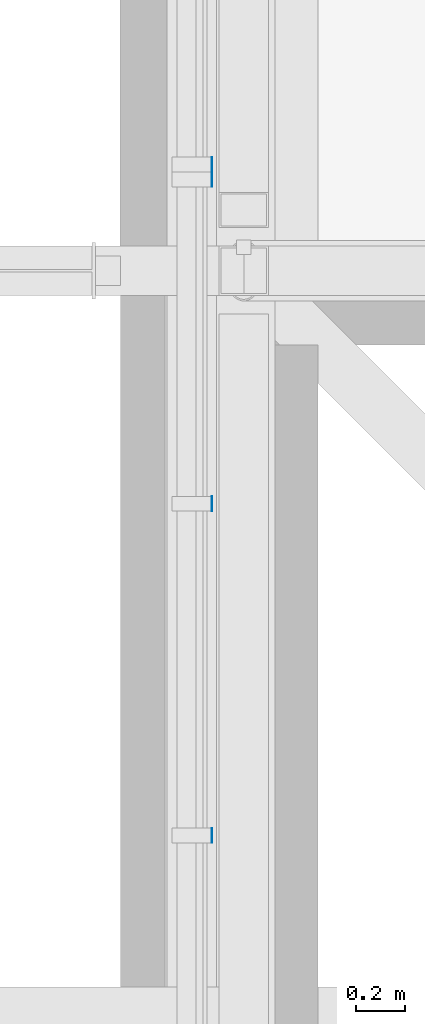
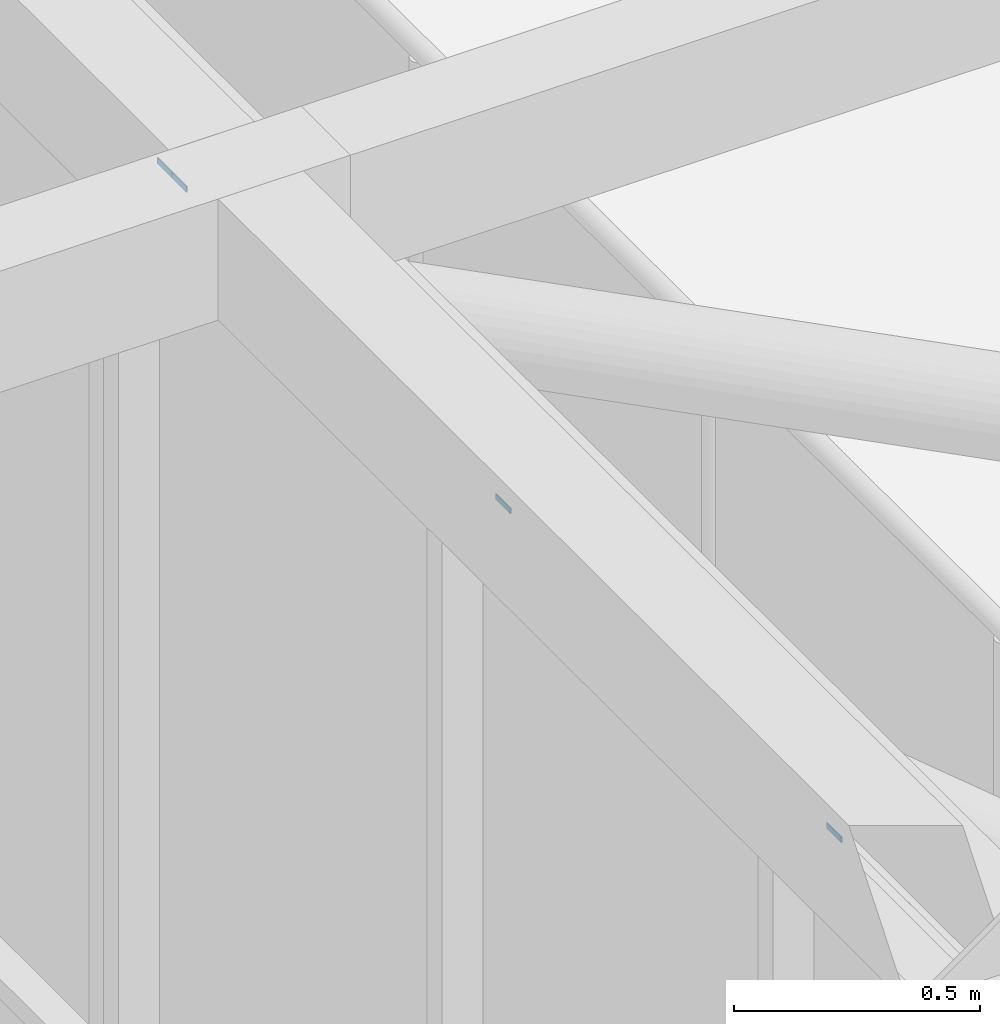
# One storey, part 239 of 646: 4 discrete accessories.
"""IFC4 building model written with IfcOpenShell, lengths in metres."""

from ifc_helpers import new_model, si_unit, direction, frame, origin, origin_2d, place, context, subcontext, project, spatial, rectangle, extrude, material, type_object, element, save


model = new_model("IFC4")

# Units and contexts
model_context = context("Model", 3, precision=1e-05, world=origin(), true_north=direction((0.0, 1.0)))
body_context = subcontext(model_context, "Body", "Model", "MODEL_VIEW")
ifc_project = project(units=[si_unit("LENGTHUNIT", "METRE"), si_unit("AREAUNIT", "SQUARE_METRE"), si_unit("VOLUMEUNIT", "CUBIC_METRE"), si_unit("PLANEANGLEUNIT", "RADIAN"), si_unit("MASSUNIT", "GRAM", prefix="KILO")], contexts=[model_context])

# Site, building, storey
site_placement = place(None, origin())
site = spatial("IfcSite", under=ifc_project, at=site_placement, CompositionType="ELEMENT")
building_placement = place(site_placement, origin())
building = spatial("IfcBuilding", under=site, at=building_placement, Name="Silverbay Arena", CompositionType="ELEMENT")
storey_placement = place(building_placement, frame((0.0, 0.0, 33.5)))
storey = spatial("IfcBuildingStorey", under=building, at=storey_placement, Name="L05", CompositionType="ELEMENT", Elevation=33.5)

# Discrete accessories
ifc_material = material(Name="Steel S355", Category="steel")
discrete_accessory_type = type_object("IfcDiscreteAccessoryType", Name="Steel bracket plate", PredefinedType="BRACKET", material=ifc_material)
for number, where, z_axis, x_axis, name in (
    (1, (53.871337890625, 24.71435546875, 12.98583984375), (0.0, 0.0, 1.0), (1.0, 0.0, 0.0), "Curtain wall packing plate"),
    (2, (53.871337890625, 26.05712890625, 12.98583984375), (0.0, 0.0, 1.0), (1.0, 0.0, 0.0), "Curtain wall packing plate"),
    (3, (53.871337890625, 27.3701171875, 12.98583984375), (0.0, 0.0, 1.0), (1.0, 0.0, 0.0), "Curtain wall packing plate"),
    (4, (53.871337890625, 27.429931640625, 12.98583984375), (0.0, 0.0, 1.0), (1.0, 0.0, 0.0), "Curtain wall packing plate"),
):
    element("IfcDiscreteAccessory", number, at=place(storey_placement, frame(where, z_axis=z_axis, x_axis=x_axis)), inside=storey, type_object=discrete_accessory_type, Name=name, PredefinedType="BRACKET", context=body_context, shape_type="SweptSolid", body=[
        extrude(rectangle(XDim=0.002685546875, YDim=0.06005859375, at=origin_2d()), origin(), (0.0, 0.0, 1.0), 0.01416015625),
    ])

save(model, "model.ifc")
